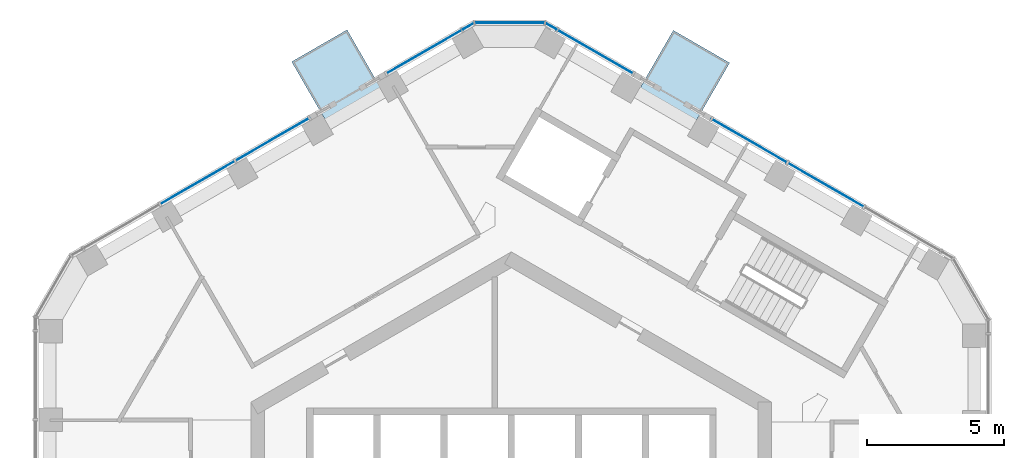
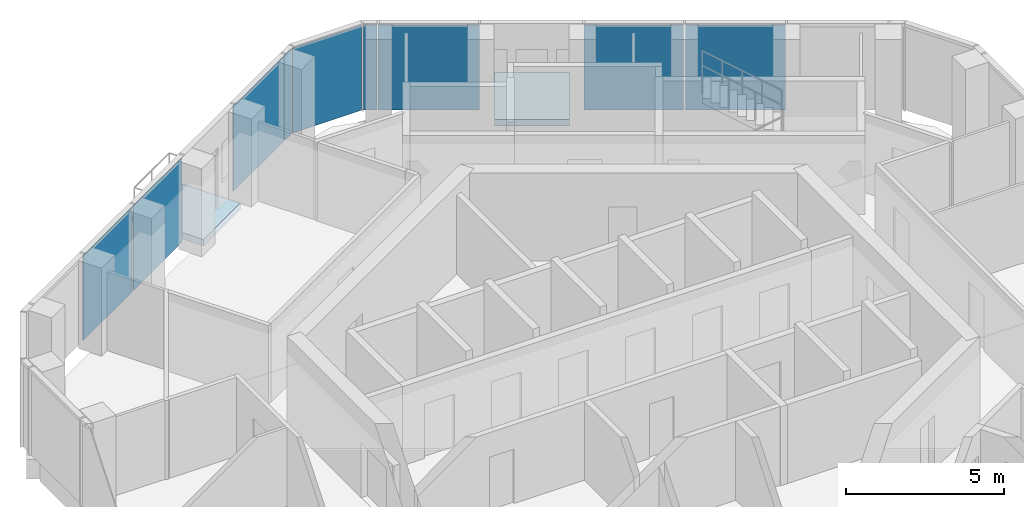
# One storey, part 12 of 19: 9 plates, 2 slabs, 5 elements without a shape of their own.
"""IFC4 building model written with IfcOpenShell, lengths in metres."""

from ifc_helpers import new_model, si_unit, direction, frame, origin, origin_2d, place, context, subcontext, project, spatial, polyline, rectangle, outline, extrude, material, layer, layer_set, type_object, element, aggregate, save


model = new_model("IFC4")

# Units and contexts
model_context = context("Model", 3, precision=1e-05, world=origin(), true_north=direction((0.0, 1.0)))
body_context = subcontext(model_context, "Body", "Model", "MODEL_VIEW")
ifc_project = project(units=[si_unit("LENGTHUNIT", "METRE"), si_unit("AREAUNIT", "SQUARE_METRE"), si_unit("VOLUMEUNIT", "CUBIC_METRE"), si_unit("PLANEANGLEUNIT", "RADIAN"), si_unit("MASSUNIT", "GRAM", prefix="KILO")], contexts=[model_context])

# Site, building, storey
site_placement = place(None, origin())
site = spatial("IfcSite", under=ifc_project, at=site_placement, CompositionType="ELEMENT")
building_placement = place(site_placement, origin())
building = spatial("IfcBuilding", under=site, at=building_placement, Name="Ayvan Gate Tower", CompositionType="ELEMENT")
storey_placement = place(building_placement, frame((0.0, 0.0, 222.300048828125)))
storey = spatial("IfcBuildingStorey", under=building, at=storey_placement, Name="L59", CompositionType="ELEMENT", Elevation=222.300048828125)

# Slabs
ifc_material_1 = material(Name="Concrete C40/50", Category="concrete")
ifc_layer_1 = layer(ifc_material_1, 0.25)
ifc_layer_set_1 = layer_set([ifc_layer_1], Name="Concrete C40/50")
slab_type = type_object("IfcSlabType", Name="Balcony slab 250", PredefinedType="FLOOR", material=ifc_layer_set_1)
slab_1_placement = place(storey_placement, frame((0.0, 0.0, -0.25)))
element("IfcSlab", 1, at=slab_1_placement, inside=storey, type_object=slab_type, Name="Balcony slab BAL-L59-2", PredefinedType="FLOOR", context=body_context, shape_type="SweptSolid", body=[
    extrude(outline(polyline([(-4.68115234375, 16.79736328125), (-6.69873046875, 15.63232421875), (-8.01123046875, 17.90576171875), (-5.99365234375, 19.070556640625), (-4.68115234375, 16.79736328125)])), origin(), (0.0, 0.0, 1.0), 0.25),
])
slab_2_placement = place(storey_placement, frame((0.0, 0.0, -0.25)))
element("IfcSlab", 2, at=slab_2_placement, inside=storey, type_object=slab_type, Name="Balcony slab BAL-L59-1", PredefinedType="FLOOR", context=body_context, shape_type="SweptSolid", body=[
    extrude(outline(polyline([(6.6513671875, 15.59130859375), (4.59814453125, 16.77685546875), (5.91064453125, 19.050048828125), (7.9638671875, 17.864501953125), (6.6513671875, 15.59130859375)])), origin(), (0.0, 0.0, 1.0), 0.25),
])

# Curtain wall, plate
ifc_material_2 = material(Name="Bronze anodised aluminium", Category="aluminium")
ifc_layer_2 = layer(ifc_material_2, 0.199951171875)
ifc_layer_set_2 = layer_set([ifc_layer_2], Name="Bronze anodised aluminium")
curtain_wall_type_1 = type_object("IfcCurtainWallType", Name="Stick curtain wall CW-2", PredefinedType="NOTDEFINED", material=ifc_layer_set_2)
curtain_wall_1_placement = place(storey_placement, origin())
curtain_wall_1 = element("IfcCurtainWall", 3, at=curtain_wall_1_placement, inside=storey, type_object=curtain_wall_type_1, Name="Stick curtain wall CW-2 L59", PredefinedType="NOTDEFINED")
ifc_material_3 = material(Name="Clear low-iron laminated glass", Category="glass")
ifc_layer_3 = layer(ifc_material_3, 0.028076171875)
ifc_layer_set_3 = layer_set([ifc_layer_3], Name="Clear low-iron laminated glass")
plate_type_1 = type_object("IfcPlateType", Name="Stick curtain wall CW-2 glass panel", PredefinedType="CURTAIN_PANEL", material=ifc_layer_set_3)
plate_1_placement = place(storey_placement, frame((-3.177490234375, 18.271728515625, 0.0), z_axis=(0.0, 0.0, 1.0), x_axis=(-0.866025403784, -0.5, 0.0)))
plate_1 = element("IfcPlate", 4, at=plate_1_placement, type_object=plate_type_1, Name="CW-2 glass panel 1", PredefinedType="CURTAIN_PANEL", context=body_context, shape_type="SweptSolid", body=[
    extrude(rectangle(XDim=3.198974609375, YDim=0.028076171875, at=origin_2d()), origin(), (0.0, 0.0, 1.0), 3.280029296875),
])
aggregate(curtain_wall_1, [plate_1])

# Curtain wall, plates
curtain_wall_2_placement = place(storey_placement, origin())
curtain_wall_2 = element("IfcCurtainWall", 5, at=curtain_wall_2_placement, inside=storey, type_object=curtain_wall_type_1, Name="Stick curtain wall CW-2 L59", PredefinedType="NOTDEFINED")
plate_2_placement = place(storey_placement, frame((-8.70654296875, 15.079345703125, 0.0), z_axis=(0.0, 0.0, 1.0), x_axis=(-0.866025403784, -0.5, 0.0)))
plate_2 = element("IfcPlate", 6, at=plate_2_placement, type_object=plate_type_1, Name="CW-2 glass panel 1", PredefinedType="CURTAIN_PANEL", context=body_context, shape_type="SweptSolid", body=[
    extrude(rectangle(XDim=3.095947265625, YDim=0.028076171875, at=origin_2d()), origin(), (0.0, 0.0, 1.0), 3.280029296875),
])
plate_3_placement = place(storey_placement, frame((-11.448486328125, 13.496337890625, 0.0), z_axis=(0.0, 0.0, 1.0), x_axis=(-0.866025403784, -0.5, 0.0)))
plate_3 = element("IfcPlate", 7, at=plate_3_placement, type_object=plate_type_1, Name="CW-2 glass panel 2", PredefinedType="CURTAIN_PANEL", context=body_context, shape_type="SweptSolid", body=[
    extrude(rectangle(XDim=3.095947265625, YDim=0.028076171875, at=origin_2d()), origin(), (0.0, 0.0, 1.0), 3.280029296875),
])
aggregate(curtain_wall_2, [plate_2, plate_3])

curtain_wall_3_placement = place(storey_placement, origin())
curtain_wall_3 = element("IfcCurtainWall", 8, at=curtain_wall_3_placement, inside=storey, type_object=curtain_wall_type_1, Name="Stick curtain wall CW-2 L59", PredefinedType="NOTDEFINED")
plate_4_placement = place(storey_placement, frame((11.471923828125, 13.414306640625, 0.0), z_axis=(0.0, 0.0, 1.0), x_axis=(-0.866025403784, 0.5, 0.0)))
plate_4 = element("IfcPlate", 9, at=plate_4_placement, type_object=plate_type_1, Name="CW-2 glass panel 2", PredefinedType="CURTAIN_PANEL", context=body_context, shape_type="SweptSolid", body=[
    extrude(rectangle(XDim=3.156982421875, YDim=0.028076171875, at=origin_2d()), origin(), (0.0, 0.0, 1.0), 3.280029296875),
])
plate_5_placement = place(storey_placement, frame((8.6767578125, 15.028076171875, 0.0), z_axis=(0.0, 0.0, 1.0), x_axis=(-0.866025403784, 0.5, 0.0)))
plate_5 = element("IfcPlate", 10, at=plate_5_placement, type_object=plate_type_1, Name="CW-2 glass panel 3", PredefinedType="CURTAIN_PANEL", context=body_context, shape_type="SweptSolid", body=[
    extrude(rectangle(XDim=3.157958984375, YDim=0.028076171875, at=origin_2d()), origin(), (0.0, 0.0, 1.0), 3.280029296875),
])
aggregate(curtain_wall_3, [plate_4, plate_5])

# Curtain wall, plate
curtain_wall_4_placement = place(storey_placement, origin())
curtain_wall_4 = element("IfcCurtainWall", 11, at=curtain_wall_4_placement, inside=storey, type_object=curtain_wall_type_1, Name="Stick curtain wall CW-2 L59", PredefinedType="NOTDEFINED")
plate_6_placement = place(storey_placement, frame((3.0634765625, 18.26904296875, 0.0), z_axis=(0.0, 0.0, 1.0), x_axis=(-0.866025403784, 0.5, 0.0)))
plate_6 = element("IfcPlate", 12, at=plate_6_placement, type_object=plate_type_1, Name="CW-2 glass panel 1", PredefinedType="CURTAIN_PANEL", context=body_context, shape_type="SweptSolid", body=[
    extrude(rectangle(XDim=3.209716796875, YDim=0.028076171875, at=origin_2d()), origin(), (0.0, 0.0, 1.0), 3.280029296875),
])
aggregate(curtain_wall_4, [plate_6])

# Curtain wall, plates
ifc_layer_4 = layer(ifc_material_2, 0.199951171875)
ifc_layer_set_4 = layer_set([ifc_layer_4], Name="Bronze anodised aluminium")
curtain_wall_type_2 = type_object("IfcCurtainWallType", Name="Stick curtain wall CW-6", PredefinedType="NOTDEFINED", material=ifc_layer_set_4)
curtain_wall_5_placement = place(storey_placement, origin())
curtain_wall_5 = element("IfcCurtainWall", 13, at=curtain_wall_5_placement, inside=storey, type_object=curtain_wall_type_2, Name="Stick curtain wall CW-6 L59", PredefinedType="NOTDEFINED")
ifc_layer_5 = layer(ifc_material_3, 0.028076171875)
ifc_layer_set_5 = layer_set([ifc_layer_5], Name="Clear low-iron laminated glass")
plate_type_2 = type_object("IfcPlateType", Name="Stick curtain wall CW-6 glass panel", PredefinedType="CURTAIN_PANEL", material=ifc_layer_set_5)
plate_7_placement = place(storey_placement, frame((1.448486328125, 19.201416015625, 0.0), z_axis=(0.0, 0.0, 1.0), x_axis=(-0.866025403784, 0.5, 0.0)))
plate_7 = element("IfcPlate", 14, at=plate_7_placement, type_object=plate_type_2, Name="CW-6 glass panel 1", PredefinedType="CURTAIN_PANEL", context=body_context, shape_type="SweptSolid", body=[
    extrude(rectangle(XDim=0.449951171875, YDim=0.028076171875, at=origin_2d()), origin(), (0.0, 0.0, 1.0), 3.280029296875),
])
plate_8_placement = place(storey_placement, frame((-0.059326171875, 19.326416015625, 0.0), z_axis=(0.0, 0.0, 1.0), x_axis=(-1.0, 0.0, 0.0)))
plate_8 = element("IfcPlate", 15, at=plate_8_placement, type_object=plate_type_2, Name="CW-6 glass panel 2", PredefinedType="CURTAIN_PANEL", context=body_context, shape_type="SweptSolid", body=[
    extrude(rectangle(XDim=2.532470703125, YDim=0.028076171875, at=origin_2d()), origin(), (0.0, 0.0, 1.0), 3.280029296875),
])
plate_9_placement = place(storey_placement, frame((-1.567138671875, 19.201416015625, 0.0), z_axis=(0.0, 0.0, 1.0), x_axis=(-0.866025403784, -0.5, 0.0)))
plate_9 = element("IfcPlate", 16, at=plate_9_placement, type_object=plate_type_2, Name="CW-6 glass panel 3", PredefinedType="CURTAIN_PANEL", context=body_context, shape_type="SweptSolid", body=[
    extrude(rectangle(XDim=0.449951171875, YDim=0.028076171875, at=origin_2d()), origin(), (0.0, 0.0, 1.0), 3.280029296875),
])
aggregate(curtain_wall_5, [plate_7, plate_8, plate_9])

save(model, "model.ifc")
